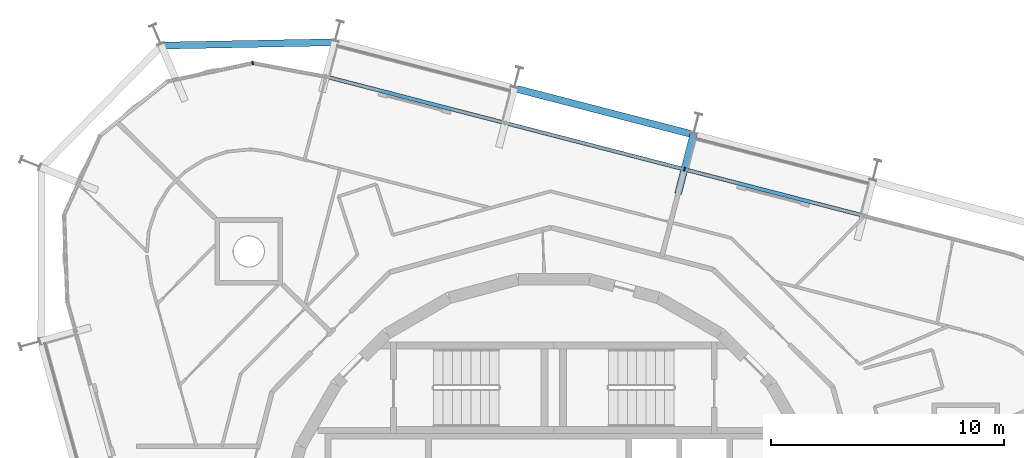
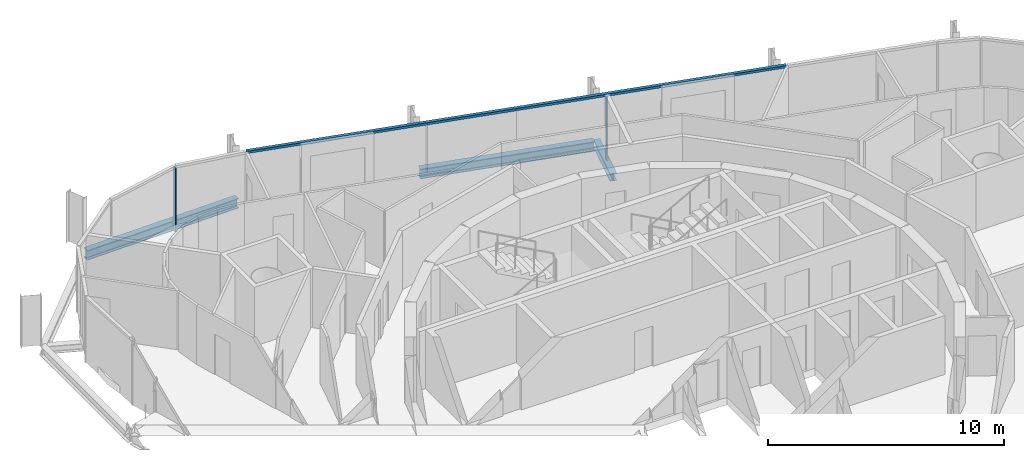
# One storey, part 6 of 15: 3 beams, 3 members, 2 elements without a shape of their own.
"""IFC4 building model written with IfcOpenShell, lengths in metres."""

from ifc_helpers import new_model, si_unit, direction, frame, origin, origin_2d, place, context, subcontext, project, spatial, rectangle, i_section, extrude, material, layer, layer_set, material_profile, profile_set, type_object, element, aggregate, save


model = new_model("IFC4")

# Units and contexts
model_context = context("Model", 3, precision=1e-05, world=origin(), true_north=direction((0.0, 1.0)))
body_context = subcontext(model_context, "Body", "Model", "MODEL_VIEW")
ifc_project = project(units=[si_unit("LENGTHUNIT", "METRE"), si_unit("AREAUNIT", "SQUARE_METRE"), si_unit("VOLUMEUNIT", "CUBIC_METRE"), si_unit("PLANEANGLEUNIT", "RADIAN"), si_unit("MASSUNIT", "GRAM", prefix="KILO")], contexts=[model_context])

# Site, building, storey
site_placement = place(None, origin())
site = spatial("IfcSite", under=ifc_project, at=site_placement, CompositionType="ELEMENT")
building_placement = place(site_placement, origin())
building = spatial("IfcBuilding", under=site, at=building_placement, Name="Spindle Arch Residences", CompositionType="ELEMENT")
storey_placement = place(building_placement, frame((0.0, 0.0, 322.699951171875)))
storey = spatial("IfcBuildingStorey", under=building, at=storey_placement, Name="L83", CompositionType="ELEMENT", Elevation=322.699951171875)

# Curtain wall, member
ifc_material_1 = material(Name="Aluminium bronze unitised frame with tinted glass", Category="aluminium")
ifc_layer_1 = layer(ifc_material_1, 0.159912109375)
ifc_layer_set_1 = layer_set([ifc_layer_1], Name="CW-C typical residential unitised wall")
curtain_wall_type_1 = type_object("IfcCurtainWallType", Name="CW-C typical residential unitised wall", PredefinedType="NOTDEFINED", material=ifc_layer_set_1)
curtain_wall_1_placement = place(storey_placement, origin())
curtain_wall_1 = element("IfcCurtainWall", 1, at=curtain_wall_1_placement, inside=storey, type_object=curtain_wall_type_1, Name="CW-C L83 run 2", PredefinedType="NOTDEFINED")
ifc_material_2 = material(Name="Aluminium bronze anodised mullion", Category="aluminium")
ifc_material_profile_1 = material_profile(ifc_material_2, rectangle(XDim=0.159912109375, YDim=0.06005859375, at=origin_2d()), Name="MU 60x160")
ifc_profile_set_1 = profile_set([ifc_material_profile_1], Name="Aluminium bronze anodised mullion")
member_type_1 = type_object("IfcMemberType", Name="Bronze mullion 60x160", PredefinedType="MULLION", material=ifc_profile_set_1)
member_1_placement = place(storey_placement, frame((5.59814453125, 16.3642578125, -0.3798828125), z_axis=(0.0, 0.0, 1.0), x_axis=(-0.250380004054, -0.968147640378, 0.0)))
member_1 = element("IfcMember", 2, at=member_1_placement, type_object=member_type_1, Name="CW-C mullion 06", PredefinedType="MULLION", context=body_context, shape_type="SweptSolid", body=[
    extrude(rectangle(XDim=0.159912109375, YDim=0.06005859375, at=origin_2d()), origin(), (0.0, 0.0, 1.0), 3.309814453125),
])

ifc_material_3 = material(Name="Aluminium bronze unitised frame with tinted glass", Category="aluminium")
ifc_layer_2 = layer(ifc_material_3, 0.159912109375)
ifc_layer_set_2 = layer_set([ifc_layer_2], Name="CW-D corner wall on the fillet arcs")
curtain_wall_type_2 = type_object("IfcCurtainWallType", Name="CW-D corner wall on the fillet arcs", PredefinedType="NOTDEFINED", material=ifc_layer_set_2)
curtain_wall_2_placement = place(storey_placement, origin())
curtain_wall_2 = element("IfcCurtainWall", 3, at=curtain_wall_2_placement, inside=storey, type_object=curtain_wall_type_2, Name="CW-D L83 run 3", PredefinedType="NOTDEFINED")
member_2_placement = place(storey_placement, frame((-12.908935546875, 20.925537109375, -0.3798828125), z_axis=(0.0, 0.0, 1.0), x_axis=(0.210756129184, -0.977538671364, 0.0)))
member_2 = element("IfcMember", 4, at=member_2_placement, type_object=member_type_1, Name="CW-D mullion 01", PredefinedType="MULLION", context=body_context, shape_type="SweptSolid", body=[
    extrude(rectangle(XDim=0.159912109375, YDim=0.06005859375, at=origin_2d()), origin(), (0.0, 0.0, 1.0), 3.309814453125),
])
aggregate(curtain_wall_2, [member_2])

# Member
ifc_material_4 = material(Name="Aluminium bronze anodised transom", Category="aluminium")
ifc_material_profile_2 = material_profile(ifc_material_4, rectangle(XDim=0.159912109375, YDim=0.1201171875, at=origin_2d()), Name="TR 120x160")
ifc_profile_set_2 = profile_set([ifc_material_profile_2], Name="Aluminium bronze anodised transom")
member_type_2 = type_object("IfcMemberType", Name="Bronze transom 120x160", PredefinedType="USERDEFINED", material=ifc_profile_set_2)
member_3_placement = place(storey_placement, frame((13.25146484375, 14.385009765625, 2.989990234375), z_axis=(-0.96814815777, 0.250378003441, 0.0), x_axis=(-0.250378003441, -0.96814815777, 0.0)))
member_3 = element("IfcMember", 5, at=member_3_placement, type_object=member_type_2, Name="CW-C transom 00", ObjectType="TRANSOM", PredefinedType="USERDEFINED", context=body_context, shape_type="SweptSolid", body=[
    extrude(rectangle(XDim=0.159912109375, YDim=0.1201171875, at=origin_2d()), origin(), (0.0, 0.0, 1.0), 23.745361328125),
])

aggregate(curtain_wall_1, [member_3, member_1])

# Beams
ifc_material_5 = material(Name="Steel S460ML, intumescent coating R 120", Category="steel")
ifc_material_profile_3 = material_profile(ifc_material_5, i_section(OverallWidth=0.300048828125, OverallDepth=0.5, WebThickness=0.014404296875, FlangeThickness=0.028076171875, FilletRadius=0.027099609375, at=origin_2d()), Name="HEB 500")
ifc_profile_set_3 = profile_set([ifc_material_profile_3], Name="Steel S460ML, intumescent coating R 120")
beam_type_1 = type_object("IfcBeamType", Name="Exoskeleton edge beam HEB 500", PredefinedType="BEAM", material=ifc_profile_set_3)
beam_1_placement = place(storey_placement, frame((5.85791015625, 17.8876953125, -0.6298828125), z_axis=(-0.968149836341, 0.250371512743, 0.0), x_axis=(-0.250371512743, -0.968149836341, 0.0)))
element("IfcBeam", 6, at=beam_1_placement, inside=storey, type_object=beam_type_1, Name="Exoskeleton edge beam 7", PredefinedType="BEAM", context=body_context, shape_type="SweptSolid", body=[
    extrude(i_section(OverallWidth=0.300048828125, OverallDepth=0.5, WebThickness=0.014404296875, FlangeThickness=0.028076171875, FilletRadius=0.027099609375, at=origin_2d()), origin(), (0.0, 0.0, 1.0), 7.675048828125),
])
beam_2_placement = place(storey_placement, frame((-9.355224609375, 21.812255859375, -0.6298828125), z_axis=(-0.999816137615, -0.019175269612, 0.0), x_axis=(0.019175269612, -0.999816137615, 0.0)))
element("IfcBeam", 7, at=beam_2_placement, inside=storey, type_object=beam_type_1, Name="Exoskeleton edge beam 9", PredefinedType="BEAM", context=body_context, shape_type="SweptSolid", body=[
    extrude(i_section(OverallWidth=0.300048828125, OverallDepth=0.5, WebThickness=0.014404296875, FlangeThickness=0.028076171875, FilletRadius=0.027099609375, at=origin_2d()), origin(), (0.0, 0.0, 1.0), 7.499267578125),
])
ifc_material_6 = material(Name="Steel S460ML, intumescent coating R 120", Category="steel")
ifc_material_profile_4 = material_profile(ifc_material_6, i_section(OverallWidth=0.300048828125, OverallDepth=0.389892578125, WebThickness=0.010986328125, FlangeThickness=0.01904296875, FilletRadius=0.027099609375, at=origin_2d()), Name="HEA 400")
ifc_profile_set_4 = profile_set([ifc_material_profile_4], Name="Steel S460ML, intumescent coating R 120")
beam_type_2 = type_object("IfcBeamType", Name="Floor outrigger HEA 400", PredefinedType="BEAM", material=ifc_profile_set_4)
beam_3_placement = place(storey_placement, frame((5.9912109375, 17.88427734375, -0.574951171875), z_axis=(-0.250396221036, -0.968143446237, 0.0), x_axis=(0.968143446237, -0.250396221036, 0.0)))
element("IfcBeam", 8, at=beam_3_placement, inside=storey, type_object=beam_type_2, Name="Floor outrigger 7", PredefinedType="BEAM", context=body_context, shape_type="SweptSolid", body=[
    extrude(i_section(OverallWidth=0.300048828125, OverallDepth=0.389892578125, WebThickness=0.010986328125, FlangeThickness=0.01904296875, FilletRadius=0.027099609375, at=origin_2d()), origin(), (0.0, 0.0, 1.0), 2.650146484375),
])

save(model, "model.ifc")
